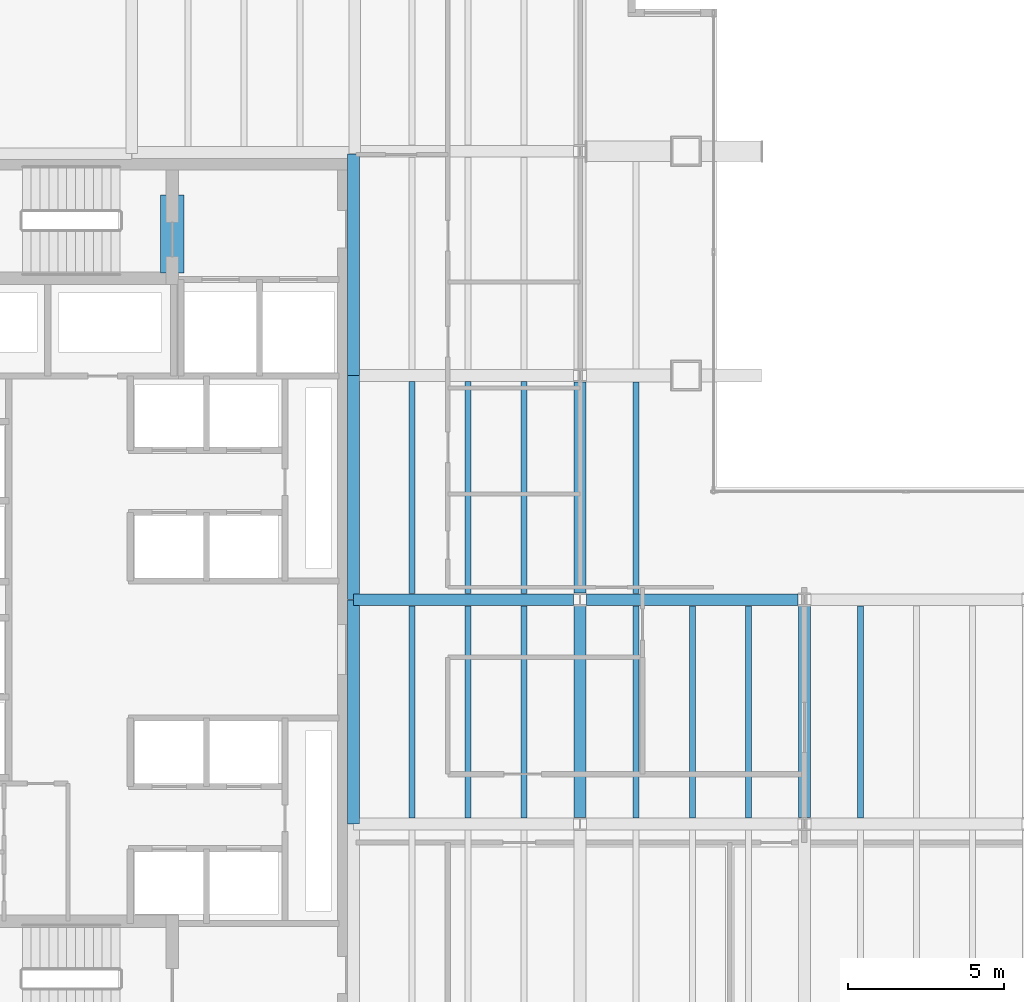
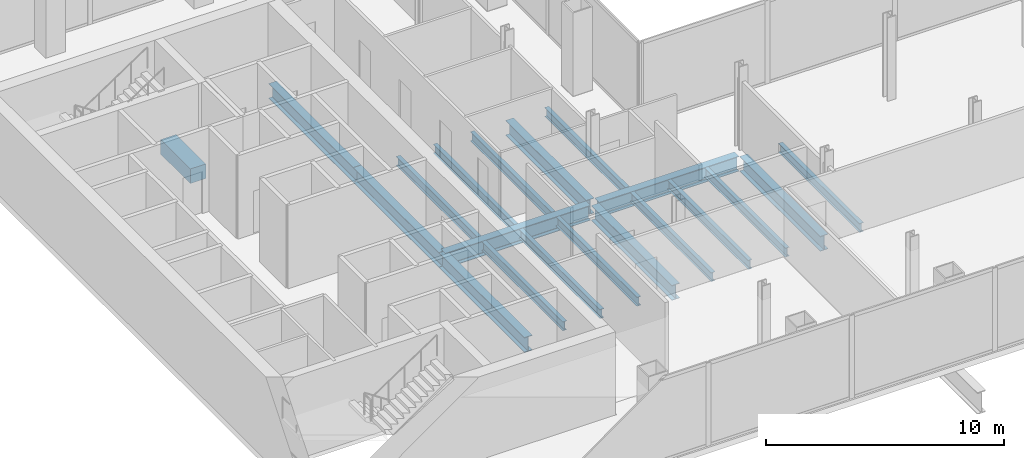
# One storey, part 4 of 16: 20 beams.
"""IFC4 building model written with IfcOpenShell, lengths in metres."""

from ifc_helpers import new_model, si_unit, direction, frame, origin, origin_2d, place, context, subcontext, project, spatial, rectangle, i_section, extrude, material, material_profile, profile_set, type_object, element, save


model = new_model("IFC4")

# Units and contexts
model_context = context("Model", 3, precision=1e-05, world=origin(), true_north=direction((0.0, 1.0)))
body_context = subcontext(model_context, "Body", "Model", "MODEL_VIEW")
ifc_project = project(units=[si_unit("LENGTHUNIT", "METRE"), si_unit("AREAUNIT", "SQUARE_METRE"), si_unit("VOLUMEUNIT", "CUBIC_METRE"), si_unit("PLANEANGLEUNIT", "RADIAN"), si_unit("MASSUNIT", "GRAM", prefix="KILO")], contexts=[model_context])

# Site, building, storey
site_placement = place(None, origin())
site = spatial("IfcSite", under=ifc_project, at=site_placement, CompositionType="ELEMENT")
building_placement = place(site_placement, origin())
building = spatial("IfcBuilding", under=site, at=building_placement, Name="Cobrela Telecom Tower", CompositionType="ELEMENT")
storey_placement = place(building_placement, frame((0.0, 0.0, 97.64990234375)))
storey = spatial("IfcBuildingStorey", under=building, at=storey_placement, Name="L24", CompositionType="ELEMENT", Elevation=97.64990234375)

# Beams
ifc_material_1 = material(Name="Concrete C40/50", Category="concrete")
ifc_material_profile_1 = material_profile(ifc_material_1, rectangle(XDim=0.75, YDim=0.75, at=origin_2d()), Name="RC 750x750")
ifc_profile_set_1 = profile_set([ifc_material_profile_1], Name="Concrete C40/50")
beam_type_1 = type_object("IfcBeamType", Name="BM-COUP-RC", PredefinedType="LINTEL", material=ifc_profile_set_1)
beam_1_placement = place(storey_placement, frame((8.5, 32.10009765625, -0.64990234375), z_axis=(0.0, 1.0, 0.0), x_axis=(-1.0, 0.0, 0.0)))
element("IfcBeam", 1, at=beam_1_placement, inside=storey, type_object=beam_type_1, Name="L24 Core Coupling Lintel Beam", PredefinedType="LINTEL", context=body_context, shape_type="SweptSolid", body=[
    extrude(rectangle(XDim=0.75, YDim=0.75, at=origin_2d()), origin(), (0.0, 0.0, 1.0), 2.5),
])
ifc_material_2 = material(Name="Steel ASTM A992 Grade 50", Category="steel")
ifc_material_profile_2 = material_profile(ifc_material_2, i_section(OverallWidth=0.381103515625, OverallDepth=0.77197265625, WebThickness=0.0166015625, FlangeThickness=0.027099609375, FilletRadius=0.01904296875, at=origin_2d()), Name="W30X173")
ifc_profile_set_2 = profile_set([ifc_material_profile_2], Name="Steel ASTM A992 Grade 50")
beam_type_2 = type_object("IfcBeamType", Name="BM-GIRD-04", PredefinedType="USERDEFINED", material=ifc_profile_set_2)
beam_2_placement = place(storey_placement, frame((14.324951171875, 21.60009765625, -0.685791015625), z_axis=(1.0, 0.0, 0.0), x_axis=(0.0, 1.0, 0.0)))
element("IfcBeam", 2, at=beam_2_placement, inside=storey, type_object=beam_type_2, Name="L24 Primary Girder X11", ObjectType="GIRDER", PredefinedType="USERDEFINED", context=body_context, shape_type="SweptSolid", body=[
    extrude(i_section(OverallWidth=0.381103515625, OverallDepth=0.77197265625, WebThickness=0.0166015625, FlangeThickness=0.027099609375, FilletRadius=0.01904296875, at=origin_2d()), origin(), (0.0, 0.0, 1.0), 7.0654296875),
])
beam_3_placement = place(storey_placement, frame((21.8095703125, 21.60009765625, -0.685791015625), z_axis=(1.0, 0.0, 0.0), x_axis=(0.0, 1.0, 0.0)))
element("IfcBeam", 3, at=beam_3_placement, inside=storey, type_object=beam_type_2, Name="L24 Primary Girder X12", ObjectType="GIRDER", PredefinedType="USERDEFINED", context=body_context, shape_type="SweptSolid", body=[
    extrude(i_section(OverallWidth=0.381103515625, OverallDepth=0.77197265625, WebThickness=0.0166015625, FlangeThickness=0.027099609375, FilletRadius=0.01904296875, at=origin_2d()), origin(), (0.0, 0.0, 1.0), 6.781005859375),
])
for number, where, z_axis, x_axis, name in (
    (4, (14.320068359375, 14.405029296875, -0.685791015625), (0.0, 1.0, 0.0), (-1.0, 0.0, 0.0), "L24 Primary Girder Y23"),
    (5, (14.320068359375, 21.60498046875, -0.685791015625), (0.0, 1.0, 0.0), (-1.0, 0.0, 0.0), "L24 Primary Girder Y24"),
):
    element("IfcBeam", number, at=place(storey_placement, frame(where, z_axis=z_axis, x_axis=x_axis)), inside=storey, type_object=beam_type_2, Name=name, ObjectType="GIRDER", PredefinedType="USERDEFINED", context=body_context, shape_type="SweptSolid", body=[
        extrude(i_section(OverallWidth=0.381103515625, OverallDepth=0.77197265625, WebThickness=0.0166015625, FlangeThickness=0.027099609375, FilletRadius=0.01904296875, at=origin_2d()), origin(), (0.0, 0.0, 1.0), 7.18994140625),
    ])
beam_4_placement = place(storey_placement, frame((14.320068359375, 28.804931640625, -0.685791015625), z_axis=(0.0, 1.0, 0.0), x_axis=(-1.0, 0.0, 0.0)))
element("IfcBeam", 6, at=beam_4_placement, inside=storey, type_object=beam_type_2, Name="L24 Primary Girder Y25", ObjectType="GIRDER", PredefinedType="USERDEFINED", context=body_context, shape_type="SweptSolid", body=[
    extrude(i_section(OverallWidth=0.381103515625, OverallDepth=0.77197265625, WebThickness=0.0166015625, FlangeThickness=0.027099609375, FilletRadius=0.01904296875, at=origin_2d()), origin(), (0.0, 0.0, 1.0), 7.110107421875),
])
beam_5_placement = place(storey_placement, frame((21.60009765625, 14.609619140625, -0.685791015625), z_axis=(0.0, 1.0, 0.0), x_axis=(-1.0, 0.0, 0.0)))
element("IfcBeam", 7, at=beam_5_placement, inside=storey, type_object=beam_type_2, Name="L24 Primary Girder Y28", ObjectType="GIRDER", PredefinedType="USERDEFINED", context=body_context, shape_type="SweptSolid", body=[
    extrude(i_section(OverallWidth=0.381103515625, OverallDepth=0.77197265625, WebThickness=0.0166015625, FlangeThickness=0.027099609375, FilletRadius=0.01904296875, at=origin_2d()), origin(), (0.0, 0.0, 1.0), 6.78076171875),
])
beam_6_placement = place(storey_placement, frame((21.60009765625, 21.8095703125, -0.685791015625), z_axis=(0.0, 1.0, 0.0), x_axis=(-1.0, 0.0, 0.0)))
element("IfcBeam", 8, at=beam_6_placement, inside=storey, type_object=beam_type_2, Name="L24 Primary Girder Y29", ObjectType="GIRDER", PredefinedType="USERDEFINED", context=body_context, shape_type="SweptSolid", body=[
    extrude(i_section(OverallWidth=0.381103515625, OverallDepth=0.77197265625, WebThickness=0.0166015625, FlangeThickness=0.027099609375, FilletRadius=0.01904296875, at=origin_2d()), origin(), (0.0, 0.0, 1.0), 6.781005859375),
])
beam_7_placement = place(storey_placement, frame((28.800048828125, 14.609619140625, -0.685791015625), z_axis=(0.0, 1.0, 0.0), x_axis=(-1.0, 0.0, 0.0)))
element("IfcBeam", 9, at=beam_7_placement, inside=storey, type_object=beam_type_2, Name="L24 Primary Girder Y33", ObjectType="GIRDER", PredefinedType="USERDEFINED", context=body_context, shape_type="SweptSolid", body=[
    extrude(i_section(OverallWidth=0.381103515625, OverallDepth=0.77197265625, WebThickness=0.0166015625, FlangeThickness=0.027099609375, FilletRadius=0.01904296875, at=origin_2d()), origin(), (0.0, 0.0, 1.0), 6.78076171875),
])
ifc_material_profile_3 = material_profile(ifc_material_2, i_section(OverallWidth=0.193115234375, OverallDepth=0.467041015625, WebThickness=0.011474609375, FlangeThickness=0.01904296875, FilletRadius=0.012939453125, at=origin_2d()), Name="W18X65")
ifc_profile_set_3 = profile_set([ifc_material_profile_3], Name="Steel ASTM A992 Grade 50")
beam_type_3 = type_object("IfcBeamType", Name="BM-JOIST-03", PredefinedType="JOIST", material=ifc_profile_set_3)
for number, where, z_axis, x_axis, name in (
    (10, (16.199951171875, 14.595458984375, -0.533447265625), (0.0, 1.0, 0.0), (-1.0, 0.0, 0.0), "L24 Secondary Composite Floor Beam J05"),
    (11, (16.199951171875, 21.79541015625, -0.533447265625), (0.0, 1.0, 0.0), (-1.0, 0.0, 0.0), "L24 Secondary Composite Floor Beam J06"),
    (12, (18.0, 14.595458984375, -0.533447265625), (0.0, 1.0, 0.0), (-1.0, 0.0, 0.0), "L24 Secondary Composite Floor Beam J10"),
    (13, (18.0, 21.79541015625, -0.533447265625), (0.0, 1.0, 0.0), (-1.0, 0.0, 0.0), "L24 Secondary Composite Floor Beam J11"),
    (14, (19.800048828125, 14.595458984375, -0.533447265625), (0.0, 1.0, 0.0), (-1.0, 0.0, 0.0), "L24 Secondary Composite Floor Beam J15"),
    (15, (19.800048828125, 21.79541015625, -0.533447265625), (0.0, 1.0, 0.0), (-1.0, 0.0, 0.0), "L24 Secondary Composite Floor Beam J16"),
    (16, (23.39990234375, 14.595458984375, -0.533447265625), (0.0, 1.0, 0.0), (-1.0, 0.0, 0.0), "L24 Secondary Composite Floor Beam J20"),
):
    element("IfcBeam", number, at=place(storey_placement, frame(where, z_axis=z_axis, x_axis=x_axis)), inside=storey, type_object=beam_type_3, Name=name, PredefinedType="JOIST", context=body_context, shape_type="SweptSolid", body=[
        extrude(i_section(OverallWidth=0.193115234375, OverallDepth=0.467041015625, WebThickness=0.011474609375, FlangeThickness=0.01904296875, FilletRadius=0.012939453125, at=origin_2d()), origin(), (0.0, 0.0, 1.0), 6.80908203125),
    ])
beam_8_placement = place(storey_placement, frame((23.39990234375, 21.79541015625, -0.533447265625), z_axis=(0.0, 1.0, 0.0), x_axis=(-1.0, 0.0, 0.0)))
element("IfcBeam", 17, at=beam_8_placement, inside=storey, type_object=beam_type_3, Name="L24 Secondary Composite Floor Beam J21", PredefinedType="JOIST", context=body_context, shape_type="SweptSolid", body=[
    extrude(i_section(OverallWidth=0.193115234375, OverallDepth=0.467041015625, WebThickness=0.011474609375, FlangeThickness=0.01904296875, FilletRadius=0.012939453125, at=origin_2d()), origin(), (0.0, 0.0, 1.0), 6.797607421875),
])
for number, where, z_axis, x_axis, name in (
    (18, (25.199951171875, 14.595458984375, -0.533447265625), (0.0, 1.0, 0.0), (-1.0, 0.0, 0.0), "L24 Secondary Composite Floor Beam J24"),
    (19, (27.0, 14.595458984375, -0.533447265625), (0.0, 1.0, 0.0), (-1.0, 0.0, 0.0), "L24 Secondary Composite Floor Beam J26"),
    (20, (30.60009765625, 14.595458984375, -0.533447265625), (0.0, 1.0, 0.0), (-1.0, 0.0, 0.0), "L24 Secondary Composite Floor Beam J28"),
):
    element("IfcBeam", number, at=place(storey_placement, frame(where, z_axis=z_axis, x_axis=x_axis)), inside=storey, type_object=beam_type_3, Name=name, PredefinedType="JOIST", context=body_context, shape_type="SweptSolid", body=[
        extrude(i_section(OverallWidth=0.193115234375, OverallDepth=0.467041015625, WebThickness=0.011474609375, FlangeThickness=0.01904296875, FilletRadius=0.012939453125, at=origin_2d()), origin(), (0.0, 0.0, 1.0), 6.80908203125),
    ])

save(model, "model.ifc")
